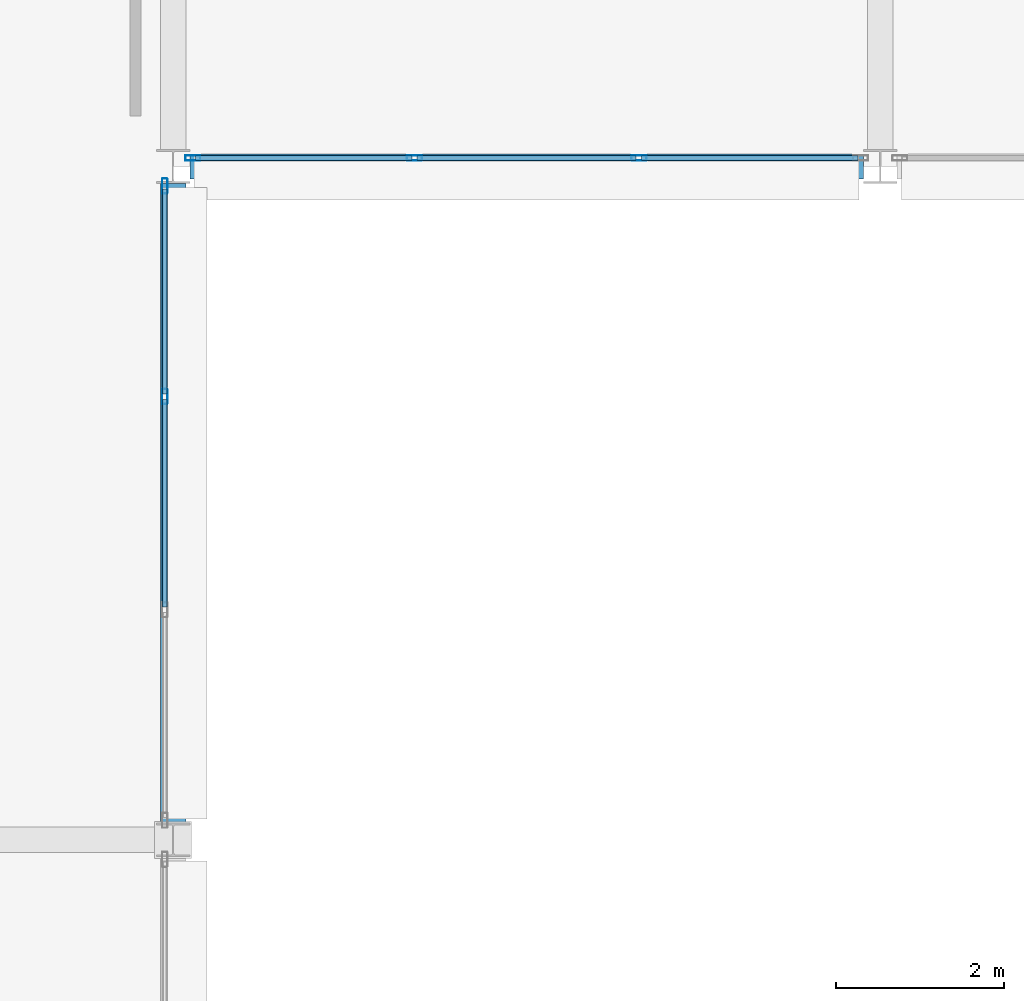
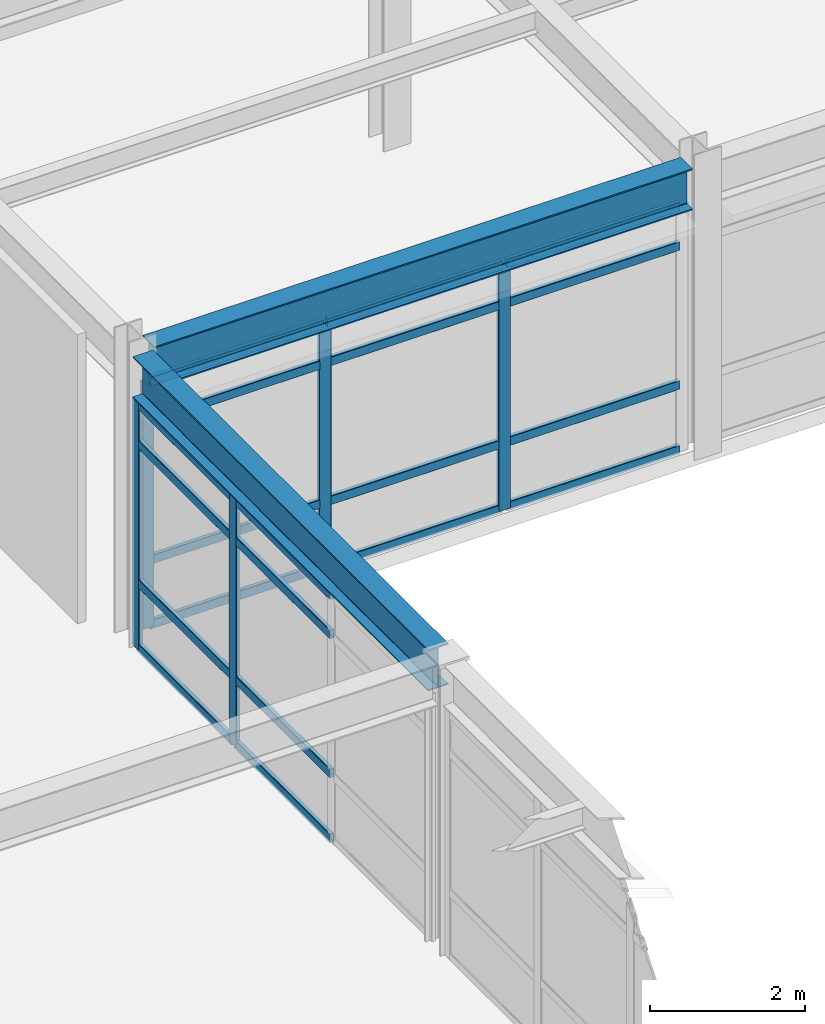
# One storey, part 20 of 93: 25 members, 2 beams, 2 elements without a shape of their own.
"""IFC4 building model written with IfcOpenShell, lengths in metres."""

from ifc_helpers import new_model, si_unit, direction, frame, origin, origin_2d, place, context, subcontext, project, spatial, hollow_rectangle, i_section, extrude, material, layer, layer_set, material_profile, profile_set, type_object, element, aggregate, save


model = new_model("IFC4")

# Units and contexts
model_context = context("Model", 3, precision=1e-05, world=origin(), true_north=direction((0.0, 1.0)))
body_context = subcontext(model_context, "Body", "Model", "MODEL_VIEW")
ifc_project = project(units=[si_unit("LENGTHUNIT", "METRE"), si_unit("AREAUNIT", "SQUARE_METRE"), si_unit("VOLUMEUNIT", "CUBIC_METRE"), si_unit("PLANEANGLEUNIT", "RADIAN"), si_unit("MASSUNIT", "GRAM", prefix="KILO")], contexts=[model_context])

# Site, building, storey
site_placement = place(None, origin())
site = spatial("IfcSite", under=ifc_project, at=site_placement, CompositionType="ELEMENT")
building_placement = place(site_placement, origin())
building = spatial("IfcBuilding", under=site, at=building_placement, Name="Kazehara Bluff Congress Hotel", CompositionType="ELEMENT")
storey_placement = place(building_placement, frame((0.0, 0.0, 15.0)))
storey = spatial("IfcBuildingStorey", under=building, at=storey_placement, Name="L03", CompositionType="ELEMENT", Elevation=15.0)

# Curtain wall, members
ifc_material_1 = material(Name="Anodised aluminium", Category="aluminium")
ifc_layer_1 = layer(ifc_material_1, 0.159912109375)
ifc_layer_set_1 = layer_set([ifc_layer_1], Name="Anodised aluminium")
curtain_wall_type_1 = type_object("IfcCurtainWallType", Name="TP-CW-129", PredefinedType="NOTDEFINED", material=ifc_layer_set_1)
curtain_wall_1_placement = place(storey_placement, origin())
curtain_wall_1 = element("IfcCurtainWall", 1, at=curtain_wall_1_placement, inside=storey, type_object=curtain_wall_type_1, Name="L03 curtain wall CW-129 CW-ENC-V4-L03-7595-1200", PredefinedType="NOTDEFINED")
ifc_material_2 = material(Name="Anodised aluminium", Category="aluminium")
ifc_material_profile_1 = material_profile(ifc_material_2, hollow_rectangle(XDim=0.06494140625, YDim=0.179931640625, WallThickness=0.00390625, InnerFilletRadius=0.00390625, OuterFilletRadius=0.008056640625, at=origin_2d()))
ifc_profile_set_1 = profile_set([ifc_material_profile_1], Name="Anodised aluminium")
member_type_1 = type_object("IfcMemberType", Name="TP-CWM-02", PredefinedType="MULLION", material=ifc_profile_set_1)
member_1_placement = place(storey_placement, frame((75.949951171875, 15.767578125, 0.0), z_axis=(0.0, 0.0, 1.0), x_axis=(1.0, 0.0, 0.0)))
member_1 = element("IfcMember", 2, at=member_1_placement, type_object=member_type_1, Name="CW-129 mullion 1", PredefinedType="MULLION", context=body_context, shape_type="SweptSolid", body=[
    extrude(hollow_rectangle(XDim=0.06494140625, YDim=0.179931640625, WallThickness=0.00390625, InnerFilletRadius=0.00390625, OuterFilletRadius=0.008056640625, at=origin_2d()), origin(), (0.0, 0.0, 1.0), 3.885009765625),
])
member_2_placement = place(storey_placement, frame((75.949951171875, 13.2666015625, 0.0), z_axis=(0.0, 0.0, 1.0), x_axis=(1.0, 0.0, 0.0)))
member_2 = element("IfcMember", 3, at=member_2_placement, type_object=member_type_1, Name="CW-129 mullion 2", PredefinedType="MULLION", context=body_context, shape_type="SweptSolid", body=[
    extrude(hollow_rectangle(XDim=0.06494140625, YDim=0.179931640625, WallThickness=0.00390625, InnerFilletRadius=0.00390625, OuterFilletRadius=0.008056640625, at=origin_2d()), origin(), (0.0, 0.0, 1.0), 3.885009765625),
])

ifc_material_3 = material(Name="Anodised aluminium", Category="aluminium")
ifc_layer_2 = layer(ifc_material_3, 0.159912109375)
ifc_layer_set_2 = layer_set([ifc_layer_2], Name="Anodised aluminium")
curtain_wall_type_2 = type_object("IfcCurtainWallType", Name="TP-CW-143", PredefinedType="NOTDEFINED", material=ifc_layer_set_2)
curtain_wall_2_placement = place(storey_placement, origin())
curtain_wall_2 = element("IfcCurtainWall", 4, at=curtain_wall_2_placement, inside=storey, type_object=curtain_wall_type_2, Name="L03 curtain wall CW-143 CW-ENC-V4-L03-8025-1610", PredefinedType="NOTDEFINED")
member_3_placement = place(storey_placement, frame((81.583251953125, 16.10009765625, 0.0), z_axis=(0.0, 0.0, 1.0), x_axis=(0.0, -1.0, 0.0)))
member_3 = element("IfcMember", 5, at=member_3_placement, type_object=member_type_1, Name="CW-143 mullion 2", PredefinedType="MULLION", context=body_context, shape_type="SweptSolid", body=[
    extrude(hollow_rectangle(XDim=0.06494140625, YDim=0.179931640625, WallThickness=0.00390625, InnerFilletRadius=0.00390625, OuterFilletRadius=0.008056640625, at=origin_2d()), origin(), (0.0, 0.0, 1.0), 3.885009765625),
])
member_4_placement = place(storey_placement, frame((78.916748046875, 16.10009765625, 0.0), z_axis=(0.0, 0.0, 1.0), x_axis=(0.0, -1.0, 0.0)))
member_4 = element("IfcMember", 6, at=member_4_placement, type_object=member_type_1, Name="CW-143 mullion 3", PredefinedType="MULLION", context=body_context, shape_type="SweptSolid", body=[
    extrude(hollow_rectangle(XDim=0.06494140625, YDim=0.179931640625, WallThickness=0.00390625, InnerFilletRadius=0.00390625, OuterFilletRadius=0.008056640625, at=origin_2d()), origin(), (0.0, 0.0, 1.0), 3.885009765625),
])
member_5_placement = place(storey_placement, frame((76.282470703125, 16.10009765625, 0.0), z_axis=(0.0, 0.0, 1.0), x_axis=(0.0, -1.0, 0.0)))
member_5 = element("IfcMember", 7, at=member_5_placement, type_object=member_type_1, Name="CW-143 mullion 4", PredefinedType="MULLION", context=body_context, shape_type="SweptSolid", body=[
    extrude(hollow_rectangle(XDim=0.06494140625, YDim=0.179931640625, WallThickness=0.00390625, InnerFilletRadius=0.00390625, OuterFilletRadius=0.008056640625, at=origin_2d()), origin(), (0.0, 0.0, 1.0), 3.885009765625),
])

# Member
ifc_material_4 = material(Name="Anodised aluminium", Category="aluminium")
ifc_material_profile_2 = material_profile(ifc_material_4, hollow_rectangle(XDim=0.06494140625, YDim=0.139892578125, WallThickness=0.00390625, InnerFilletRadius=0.00390625, OuterFilletRadius=0.008056640625, at=origin_2d()))
ifc_profile_set_2 = profile_set([ifc_material_profile_2], Name="Anodised aluminium")
member_type_2 = type_object("IfcMemberType", Name="TP-CWT-02", PredefinedType="USERDEFINED", material=ifc_profile_set_2)
member_6_placement = place(storey_placement, frame((75.949951171875, 15.735107421875, 0.032470703125), z_axis=(0.0, -1.0, 0.0), x_axis=(1.0, 0.0, 0.0)))
member_6 = element("IfcMember", 8, at=member_6_placement, type_object=member_type_2, Name="CW-129 transom 1.1", ObjectType="TRANSOM", PredefinedType="USERDEFINED", context=body_context, shape_type="SweptSolid", body=[
    extrude(hollow_rectangle(XDim=0.06494140625, YDim=0.139892578125, WallThickness=0.00390625, InnerFilletRadius=0.00390625, OuterFilletRadius=0.008056640625, at=origin_2d()), origin(), (0.0, 0.0, 1.0), 2.43603515625),
])

member_7_placement = place(storey_placement, frame((75.949951171875, 15.735107421875, 1.050048828125), z_axis=(0.0, -1.0, 0.0), x_axis=(1.0, 0.0, 0.0)))
member_7 = element("IfcMember", 9, at=member_7_placement, type_object=member_type_2, Name="CW-129 transom 1.2", ObjectType="TRANSOM", PredefinedType="USERDEFINED", context=body_context, shape_type="SweptSolid", body=[
    extrude(hollow_rectangle(XDim=0.06494140625, YDim=0.139892578125, WallThickness=0.00390625, InnerFilletRadius=0.00390625, OuterFilletRadius=0.008056640625, at=origin_2d()), origin(), (0.0, 0.0, 1.0), 2.43603515625),
])

member_8_placement = place(storey_placement, frame((75.949951171875, 15.735107421875, 3.235107421875), z_axis=(0.0, -1.0, 0.0), x_axis=(1.0, 0.0, 0.0)))
member_8 = element("IfcMember", 10, at=member_8_placement, type_object=member_type_2, Name="CW-129 transom 1.3", ObjectType="TRANSOM", PredefinedType="USERDEFINED", context=body_context, shape_type="SweptSolid", body=[
    extrude(hollow_rectangle(XDim=0.06494140625, YDim=0.139892578125, WallThickness=0.00390625, InnerFilletRadius=0.00390625, OuterFilletRadius=0.008056640625, at=origin_2d()), origin(), (0.0, 0.0, 1.0), 2.43603515625),
])

member_9_placement = place(storey_placement, frame((75.949951171875, 15.735107421875, 3.8525390625), z_axis=(0.0, -1.0, 0.0), x_axis=(1.0, 0.0, 0.0)))
member_9 = element("IfcMember", 11, at=member_9_placement, type_object=member_type_2, Name="CW-129 transom 1.4", ObjectType="TRANSOM", PredefinedType="USERDEFINED", context=body_context, shape_type="SweptSolid", body=[
    extrude(hollow_rectangle(XDim=0.06494140625, YDim=0.139892578125, WallThickness=0.00390625, InnerFilletRadius=0.00390625, OuterFilletRadius=0.008056640625, at=origin_2d()), origin(), (0.0, 0.0, 1.0), 2.43603515625),
])

member_10_placement = place(storey_placement, frame((75.949951171875, 13.234130859375, 0.032470703125), z_axis=(0.0, -1.0, 0.0), x_axis=(1.0, 0.0, 0.0)))
member_10 = element("IfcMember", 12, at=member_10_placement, type_object=member_type_2, Name="CW-129 transom 2.1", ObjectType="TRANSOM", PredefinedType="USERDEFINED", context=body_context, shape_type="SweptSolid", body=[
    extrude(hollow_rectangle(XDim=0.06494140625, YDim=0.139892578125, WallThickness=0.00390625, InnerFilletRadius=0.00390625, OuterFilletRadius=0.008056640625, at=origin_2d()), origin(), (0.0, 0.0, 1.0), 2.46826171875),
])

member_11_placement = place(storey_placement, frame((75.949951171875, 13.234130859375, 1.050048828125), z_axis=(0.0, -1.0, 0.0), x_axis=(1.0, 0.0, 0.0)))
member_11 = element("IfcMember", 13, at=member_11_placement, type_object=member_type_2, Name="CW-129 transom 2.2", ObjectType="TRANSOM", PredefinedType="USERDEFINED", context=body_context, shape_type="SweptSolid", body=[
    extrude(hollow_rectangle(XDim=0.06494140625, YDim=0.139892578125, WallThickness=0.00390625, InnerFilletRadius=0.00390625, OuterFilletRadius=0.008056640625, at=origin_2d()), origin(), (0.0, 0.0, 1.0), 2.46826171875),
])

member_12_placement = place(storey_placement, frame((75.949951171875, 13.234130859375, 3.235107421875), z_axis=(0.0, -1.0, 0.0), x_axis=(1.0, 0.0, 0.0)))
member_12 = element("IfcMember", 14, at=member_12_placement, type_object=member_type_2, Name="CW-129 transom 2.3", ObjectType="TRANSOM", PredefinedType="USERDEFINED", context=body_context, shape_type="SweptSolid", body=[
    extrude(hollow_rectangle(XDim=0.06494140625, YDim=0.139892578125, WallThickness=0.00390625, InnerFilletRadius=0.00390625, OuterFilletRadius=0.008056640625, at=origin_2d()), origin(), (0.0, 0.0, 1.0), 2.46826171875),
])

member_13_placement = place(storey_placement, frame((75.949951171875, 13.234130859375, 3.8525390625), z_axis=(0.0, -1.0, 0.0), x_axis=(1.0, 0.0, 0.0)))
member_13 = element("IfcMember", 15, at=member_13_placement, type_object=member_type_2, Name="CW-129 transom 2.4", ObjectType="TRANSOM", PredefinedType="USERDEFINED", context=body_context, shape_type="SweptSolid", body=[
    extrude(hollow_rectangle(XDim=0.06494140625, YDim=0.139892578125, WallThickness=0.00390625, InnerFilletRadius=0.00390625, OuterFilletRadius=0.008056640625, at=origin_2d()), origin(), (0.0, 0.0, 1.0), 2.46826171875),
])

aggregate(curtain_wall_1, [member_1, member_2, member_6, member_7, member_8, member_9, member_10, member_11, member_12, member_13])

member_14_placement = place(storey_placement, frame((84.18505859375, 16.10009765625, 0.032470703125), z_axis=(-1.0, 0.0, 0.0), x_axis=(0.0, -1.0, 0.0)))
member_14 = element("IfcMember", 16, at=member_14_placement, type_object=member_type_2, Name="CW-143 transom 1.1", ObjectType="TRANSOM", PredefinedType="USERDEFINED", context=body_context, shape_type="SweptSolid", body=[
    extrude(hollow_rectangle(XDim=0.06494140625, YDim=0.139892578125, WallThickness=0.00390625, InnerFilletRadius=0.00390625, OuterFilletRadius=0.008056640625, at=origin_2d()), origin(), (0.0, 0.0, 1.0), 2.5693359375),
])

member_15_placement = place(storey_placement, frame((84.18505859375, 16.10009765625, 1.050048828125), z_axis=(-1.0, 0.0, 0.0), x_axis=(0.0, -1.0, 0.0)))
member_15 = element("IfcMember", 17, at=member_15_placement, type_object=member_type_2, Name="CW-143 transom 1.2", ObjectType="TRANSOM", PredefinedType="USERDEFINED", context=body_context, shape_type="SweptSolid", body=[
    extrude(hollow_rectangle(XDim=0.06494140625, YDim=0.139892578125, WallThickness=0.00390625, InnerFilletRadius=0.00390625, OuterFilletRadius=0.008056640625, at=origin_2d()), origin(), (0.0, 0.0, 1.0), 2.5693359375),
])

member_16_placement = place(storey_placement, frame((84.18505859375, 16.10009765625, 3.235107421875), z_axis=(-1.0, 0.0, 0.0), x_axis=(0.0, -1.0, 0.0)))
member_16 = element("IfcMember", 18, at=member_16_placement, type_object=member_type_2, Name="CW-143 transom 1.3", ObjectType="TRANSOM", PredefinedType="USERDEFINED", context=body_context, shape_type="SweptSolid", body=[
    extrude(hollow_rectangle(XDim=0.06494140625, YDim=0.139892578125, WallThickness=0.00390625, InnerFilletRadius=0.00390625, OuterFilletRadius=0.008056640625, at=origin_2d()), origin(), (0.0, 0.0, 1.0), 2.5693359375),
])

member_17_placement = place(storey_placement, frame((84.18505859375, 16.10009765625, 3.8525390625), z_axis=(-1.0, 0.0, 0.0), x_axis=(0.0, -1.0, 0.0)))
member_17 = element("IfcMember", 19, at=member_17_placement, type_object=member_type_2, Name="CW-143 transom 1.4", ObjectType="TRANSOM", PredefinedType="USERDEFINED", context=body_context, shape_type="SweptSolid", body=[
    extrude(hollow_rectangle(XDim=0.06494140625, YDim=0.139892578125, WallThickness=0.00390625, InnerFilletRadius=0.00390625, OuterFilletRadius=0.008056640625, at=origin_2d()), origin(), (0.0, 0.0, 1.0), 2.5693359375),
])

member_18_placement = place(storey_placement, frame((81.55078125, 16.10009765625, 0.032470703125), z_axis=(-1.0, 0.0, 0.0), x_axis=(0.0, -1.0, 0.0)))
member_18 = element("IfcMember", 20, at=member_18_placement, type_object=member_type_2, Name="CW-143 transom 2.1", ObjectType="TRANSOM", PredefinedType="USERDEFINED", context=body_context, shape_type="SweptSolid", body=[
    extrude(hollow_rectangle(XDim=0.06494140625, YDim=0.139892578125, WallThickness=0.00390625, InnerFilletRadius=0.00390625, OuterFilletRadius=0.008056640625, at=origin_2d()), origin(), (0.0, 0.0, 1.0), 2.6015625),
])

member_19_placement = place(storey_placement, frame((81.55078125, 16.10009765625, 1.050048828125), z_axis=(-1.0, 0.0, 0.0), x_axis=(0.0, -1.0, 0.0)))
member_19 = element("IfcMember", 21, at=member_19_placement, type_object=member_type_2, Name="CW-143 transom 2.2", ObjectType="TRANSOM", PredefinedType="USERDEFINED", context=body_context, shape_type="SweptSolid", body=[
    extrude(hollow_rectangle(XDim=0.06494140625, YDim=0.139892578125, WallThickness=0.00390625, InnerFilletRadius=0.00390625, OuterFilletRadius=0.008056640625, at=origin_2d()), origin(), (0.0, 0.0, 1.0), 2.6015625),
])

member_20_placement = place(storey_placement, frame((81.55078125, 16.10009765625, 3.235107421875), z_axis=(-1.0, 0.0, 0.0), x_axis=(0.0, -1.0, 0.0)))
member_20 = element("IfcMember", 22, at=member_20_placement, type_object=member_type_2, Name="CW-143 transom 2.3", ObjectType="TRANSOM", PredefinedType="USERDEFINED", context=body_context, shape_type="SweptSolid", body=[
    extrude(hollow_rectangle(XDim=0.06494140625, YDim=0.139892578125, WallThickness=0.00390625, InnerFilletRadius=0.00390625, OuterFilletRadius=0.008056640625, at=origin_2d()), origin(), (0.0, 0.0, 1.0), 2.6015625),
])

member_21_placement = place(storey_placement, frame((81.55078125, 16.10009765625, 3.8525390625), z_axis=(-1.0, 0.0, 0.0), x_axis=(0.0, -1.0, 0.0)))
member_21 = element("IfcMember", 23, at=member_21_placement, type_object=member_type_2, Name="CW-143 transom 2.4", ObjectType="TRANSOM", PredefinedType="USERDEFINED", context=body_context, shape_type="SweptSolid", body=[
    extrude(hollow_rectangle(XDim=0.06494140625, YDim=0.139892578125, WallThickness=0.00390625, InnerFilletRadius=0.00390625, OuterFilletRadius=0.008056640625, at=origin_2d()), origin(), (0.0, 0.0, 1.0), 2.6015625),
])

member_22_placement = place(storey_placement, frame((78.88427734375, 16.10009765625, 0.032470703125), z_axis=(-1.0, 0.0, 0.0), x_axis=(0.0, -1.0, 0.0)))
member_22 = element("IfcMember", 24, at=member_22_placement, type_object=member_type_2, Name="CW-143 transom 3.1", ObjectType="TRANSOM", PredefinedType="USERDEFINED", context=body_context, shape_type="SweptSolid", body=[
    extrude(hollow_rectangle(XDim=0.06494140625, YDim=0.139892578125, WallThickness=0.00390625, InnerFilletRadius=0.00390625, OuterFilletRadius=0.008056640625, at=origin_2d()), origin(), (0.0, 0.0, 1.0), 2.5693359375),
])

member_23_placement = place(storey_placement, frame((78.88427734375, 16.10009765625, 1.050048828125), z_axis=(-1.0, 0.0, 0.0), x_axis=(0.0, -1.0, 0.0)))
member_23 = element("IfcMember", 25, at=member_23_placement, type_object=member_type_2, Name="CW-143 transom 3.2", ObjectType="TRANSOM", PredefinedType="USERDEFINED", context=body_context, shape_type="SweptSolid", body=[
    extrude(hollow_rectangle(XDim=0.06494140625, YDim=0.139892578125, WallThickness=0.00390625, InnerFilletRadius=0.00390625, OuterFilletRadius=0.008056640625, at=origin_2d()), origin(), (0.0, 0.0, 1.0), 2.5693359375),
])

member_24_placement = place(storey_placement, frame((78.88427734375, 16.10009765625, 3.235107421875), z_axis=(-1.0, 0.0, 0.0), x_axis=(0.0, -1.0, 0.0)))
member_24 = element("IfcMember", 26, at=member_24_placement, type_object=member_type_2, Name="CW-143 transom 3.3", ObjectType="TRANSOM", PredefinedType="USERDEFINED", context=body_context, shape_type="SweptSolid", body=[
    extrude(hollow_rectangle(XDim=0.06494140625, YDim=0.139892578125, WallThickness=0.00390625, InnerFilletRadius=0.00390625, OuterFilletRadius=0.008056640625, at=origin_2d()), origin(), (0.0, 0.0, 1.0), 2.5693359375),
])

member_25_placement = place(storey_placement, frame((78.88427734375, 16.10009765625, 3.8525390625), z_axis=(-1.0, 0.0, 0.0), x_axis=(0.0, -1.0, 0.0)))
member_25 = element("IfcMember", 27, at=member_25_placement, type_object=member_type_2, Name="CW-143 transom 3.4", ObjectType="TRANSOM", PredefinedType="USERDEFINED", context=body_context, shape_type="SweptSolid", body=[
    extrude(hollow_rectangle(XDim=0.06494140625, YDim=0.139892578125, WallThickness=0.00390625, InnerFilletRadius=0.00390625, OuterFilletRadius=0.008056640625, at=origin_2d()), origin(), (0.0, 0.0, 1.0), 2.5693359375),
])

aggregate(curtain_wall_2, [member_3, member_4, member_5, member_14, member_15, member_16, member_17, member_18, member_19, member_20, member_21, member_22, member_23, member_24, member_25])

# Beams
ifc_material_5 = material(Name="Steel SN490B", Category="steel")
ifc_material_profile_3 = material_profile(ifc_material_5, i_section(OverallWidth=0.300048828125, OverallDepth=0.64990234375, WebThickness=0.011962890625, FlangeThickness=0.02001953125, FilletRadius=0.012939453125, at=origin_2d()))
ifc_profile_set_3 = profile_set([ifc_material_profile_3], Name="Steel SN490B")
beam_type = type_object("IfcBeamType", Name="TP-G-03", PredefinedType="BEAM", material=ifc_profile_set_3)
beam_1_placement = place(storey_placement, frame((76.050048828125, 8.199951171875, 4.235107421875), z_axis=(0.0, 1.0, 0.0), x_axis=(-1.0, 0.0, 0.0)))
element("IfcBeam", 28, at=beam_1_placement, inside=storey, type_object=beam_type, Name="L03 girder G-03 52", PredefinedType="BEAM", context=body_context, shape_type="SweptSolid", body=[
    extrude(i_section(OverallWidth=0.300048828125, OverallDepth=0.64990234375, WebThickness=0.011962890625, FlangeThickness=0.02001953125, FilletRadius=0.012939453125, at=origin_2d()), origin(), (0.0, 0.0, 1.0), 7.60009765625),
])
beam_2_placement = place(storey_placement, frame((76.25, 16.0, 4.235107421875), z_axis=(1.0, 0.0, 0.0), x_axis=(0.0, 1.0, 0.0)))
element("IfcBeam", 29, at=beam_2_placement, inside=storey, type_object=beam_type, Name="L03 girder G-03 75", PredefinedType="BEAM", context=body_context, shape_type="SweptSolid", body=[
    extrude(i_section(OverallWidth=0.300048828125, OverallDepth=0.64990234375, WebThickness=0.011962890625, FlangeThickness=0.02001953125, FilletRadius=0.012939453125, at=origin_2d()), origin(), (0.0, 0.0, 1.0), 8.0),
])

save(model, "model.ifc")
